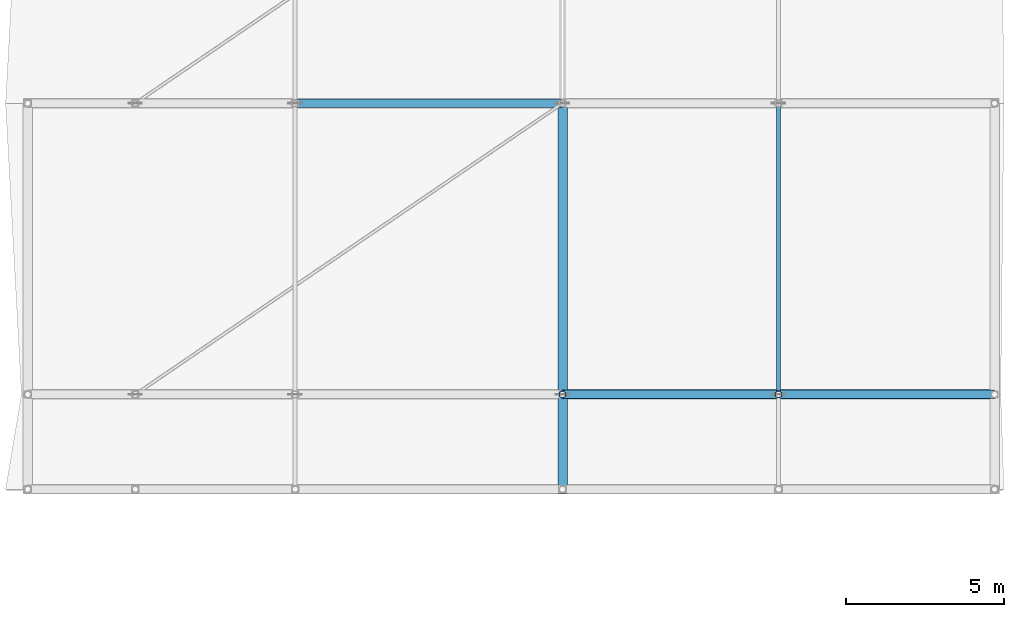
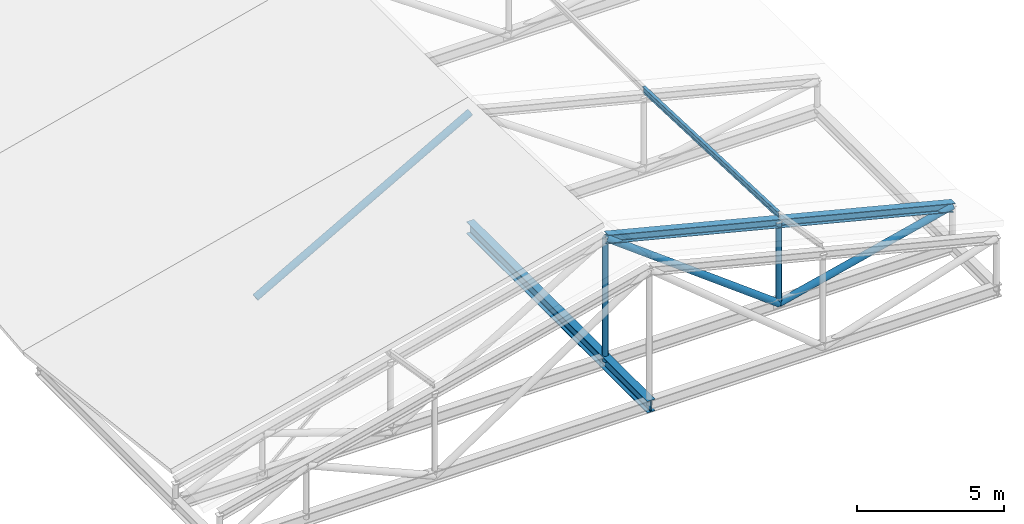
# One storey, part 30 of 56: 7 members, 1 beam.
"""IFC4 building model written with IfcOpenShell, lengths in metres."""

from ifc_helpers import new_model, si_unit, direction, frame, origin, origin_2d, place, context, subcontext, project, spatial, hollow_circle, i_section, extrude, material, material_profile, profile_set, type_object, element, save


model = new_model("IFC4")

# Units and contexts
model_context = context("Model", 3, precision=1e-05, world=origin(), true_north=direction((0.0, 1.0)))
body_context = subcontext(model_context, "Body", "Model", "MODEL_VIEW")
ifc_project = project(units=[si_unit("LENGTHUNIT", "METRE"), si_unit("AREAUNIT", "SQUARE_METRE"), si_unit("VOLUMEUNIT", "CUBIC_METRE"), si_unit("PLANEANGLEUNIT", "RADIAN"), si_unit("MASSUNIT", "GRAM", prefix="KILO")], contexts=[model_context])

# Site, building, storey
site_placement = place(None, origin())
site = spatial("IfcSite", under=ifc_project, at=site_placement, CompositionType="ELEMENT")
building_placement = place(site_placement, origin())
building = spatial("IfcBuilding", under=site, at=building_placement, Name="Bozkorgan Art Gallery", CompositionType="ELEMENT")
storey_placement = place(building_placement, frame((0.0, 0.0, 24.0)))
storey = spatial("IfcBuildingStorey", under=building, at=storey_placement, Name="L05", CompositionType="ELEMENT", Elevation=24.0)

# Beam
ifc_material = material(Name="Steel S355J2", Category="steel")
ifc_material_profile_1 = material_profile(ifc_material, i_section(OverallWidth=0.300048828125, OverallDepth=0.5, WebThickness=0.014404296875, FlangeThickness=0.028076171875, FilletRadius=0.027099609375, at=origin_2d()), Name="HEB 500")
ifc_profile_set_1 = profile_set([ifc_material_profile_1], Name="Steel S355J2")
beam_type = type_object("IfcBeamType", Name="BEAM-TO-52", PredefinedType="BEAM", material=ifc_profile_set_1)
beam_placement = place(storey_placement, frame((150.5, 62.860107421875, 0.25), z_axis=(0.0, 1.0, 0.0), x_axis=(-1.0, 0.0, 0.0)))
element("IfcBeam", 1, at=beam_placement, inside=storey, type_object=beam_type, Name="ROOF-V5-MAIN south overhang continuous truss chord 2", PredefinedType="BEAM", context=body_context, shape_type="SweptSolid", body=[
    extrude(i_section(OverallWidth=0.300048828125, OverallDepth=0.5, WebThickness=0.014404296875, FlangeThickness=0.028076171875, FilletRadius=0.027099609375, at=origin_2d()), origin(), (0.0, 0.0, 1.0), 12.33984375),
])

# Members
ifc_material_profile_2 = material_profile(ifc_material, i_section(OverallWidth=0.1201171875, OverallDepth=0.239990234375, WebThickness=0.006103515625, FlangeThickness=0.009765625, FilletRadius=0.014892578125, at=origin_2d()), Name="IPE 240")
ifc_profile_set_2 = profile_set([ifc_material_profile_2], Name="Steel S355J2")
member_type_1 = type_object("IfcMemberType", Name="MEMBER-PR-34", PredefinedType="PURLIN", material=ifc_profile_set_2)
member_1_placement = place(storey_placement, frame((157.324951171875, 66.0, 3.93408203125), z_axis=(0.0, 0.999222332113, -0.039430077432), x_axis=(-1.0, 0.0, 0.0)))
element("IfcMember", 2, at=member_1_placement, inside=storey, type_object=member_type_1, Name="ROOF-V5-MAIN roof purlin 2E", PredefinedType="PURLIN", context=body_context, shape_type="SweptSolid", body=[
    extrude(i_section(OverallWidth=0.1201171875, OverallDepth=0.239990234375, WebThickness=0.006103515625, FlangeThickness=0.009765625, FilletRadius=0.014892578125, at=origin_2d()), origin(), (0.0, 0.0, 1.0), 9.20703125),
])
ifc_material_profile_3 = material_profile(ifc_material, i_section(OverallWidth=0.300048828125, OverallDepth=0.35009765625, WebThickness=0.010009765625, FlangeThickness=0.017578125, FilletRadius=0.027099609375, at=origin_2d()), Name="HEA 360")
ifc_profile_set_3 = profile_set([ifc_material_profile_3], Name="Steel S355J2")
member_type_2 = type_object("IfcMemberType", Name="MEMBER-TC-31", PredefinedType="CHORD", material=ifc_profile_set_3)
member_2_placement = place(storey_placement, frame((150.5, 66.0, 5.3662109375), z_axis=(0.969442896165, 0.0, -0.245317082721), x_axis=(0.0, 1.0, 0.0)))
element("IfcMember", 3, at=member_2_placement, inside=storey, type_object=member_type_2, Name="ROOF-V5-MAIN roof truss 2 east top chord", PredefinedType="CHORD", context=body_context, shape_type="SweptSolid", body=[
    extrude(i_section(OverallWidth=0.300048828125, OverallDepth=0.35009765625, WebThickness=0.010009765625, FlangeThickness=0.017578125, FilletRadius=0.027099609375, at=origin_2d()), origin(), (0.0, 0.0, 1.0), 14.080078125),
])
ifc_material_profile_4 = material_profile(ifc_material, hollow_circle(Radius=0.109619140625, WallThickness=0.010009765625, at=origin_2d()), Name="CHS 219.1x10")
ifc_profile_set_4 = profile_set([ifc_material_profile_4], Name="Steel S355J2")
member_type_3 = type_object("IfcMemberType", Name="MEMBER-TP-78", PredefinedType="POST", material=ifc_profile_set_4)
member_3_placement = place(storey_placement, frame((150.5, 66.0, 0.25), z_axis=(0.0, 0.0, 1.0), x_axis=(1.0, 0.0, 0.0)))
element("IfcMember", 4, at=member_3_placement, inside=storey, type_object=member_type_3, Name="ROOF-V5-MAIN roof truss 2 post 3", PredefinedType="POST", context=body_context, shape_type="SweptSolid", body=[
    extrude(hollow_circle(Radius=0.109619140625, WallThickness=0.010009765625, at=origin_2d()), origin(), (0.0, 0.0, 1.0), 5.1162109375),
])
member_4_placement = place(storey_placement, frame((157.324951171875, 66.0, 0.25), z_axis=(0.0, 0.0, 1.0), x_axis=(1.0, 0.0, 0.0)))
element("IfcMember", 5, at=member_4_placement, inside=storey, type_object=member_type_3, Name="ROOF-V5-MAIN roof truss 2 post 4", PredefinedType="POST", context=body_context, shape_type="SweptSolid", body=[
    extrude(hollow_circle(Radius=0.109619140625, WallThickness=0.010009765625, at=origin_2d()), origin(), (0.0, 0.0, 1.0), 3.38916015625),
])
ifc_material_profile_5 = material_profile(ifc_material, hollow_circle(Radius=0.136474609375, WallThickness=0.012451171875, at=origin_2d()), Name="CHS 273x12.5")
ifc_profile_set_5 = profile_set([ifc_material_profile_5], Name="Steel S355J2")
member_type_4 = type_object("IfcMemberType", Name="MEMBER-TW-28", PredefinedType="BRACE", material=ifc_profile_set_5)
member_5_placement = place(storey_placement, frame((150.5, 66.0, 5.3662109375), z_axis=(0.800140800457, 0.0, -0.599812220153), x_axis=(0.0, 1.0, 0.0)))
element("IfcMember", 6, at=member_5_placement, inside=storey, type_object=member_type_4, Name="ROOF-V5-MAIN roof truss 2 diagonal 4", PredefinedType="BRACE", context=body_context, shape_type="SweptSolid", body=[
    extrude(hollow_circle(Radius=0.136474609375, WallThickness=0.012451171875, at=origin_2d()), origin(), (0.0, 0.0, 1.0), 8.52978515625),
])
member_6_placement = place(storey_placement, frame((157.324951171875, 66.0, 0.25), z_axis=(0.971602632786, 0.0, 0.236618519907), x_axis=(0.0, 1.0, 0.0)))
element("IfcMember", 7, at=member_6_placement, inside=storey, type_object=member_type_4, Name="ROOF-V5-MAIN roof truss 2 diagonal 5", PredefinedType="BRACE", context=body_context, shape_type="SweptSolid", body=[
    extrude(hollow_circle(Radius=0.136474609375, WallThickness=0.012451171875, at=origin_2d()), origin(), (0.0, 0.0, 1.0), 7.0244140625),
])
member_7_placement = place(storey_placement, frame((142.050048828125, 75.199951171875, 0.25), z_axis=(0.87157217453, 0.0, 0.49026721753), x_axis=(0.0, 1.0, 0.0)))
element("IfcMember", 8, at=member_7_placement, inside=storey, type_object=member_type_4, Name="ROOF-V5-MAIN roof truss 3 diagonal 3", PredefinedType="BRACE", context=body_context, shape_type="SweptSolid", body=[
    extrude(hollow_circle(Radius=0.136474609375, WallThickness=0.012451171875, at=origin_2d()), origin(), (0.0, 0.0, 1.0), 9.695068359375),
])

save(model, "model.ifc")
